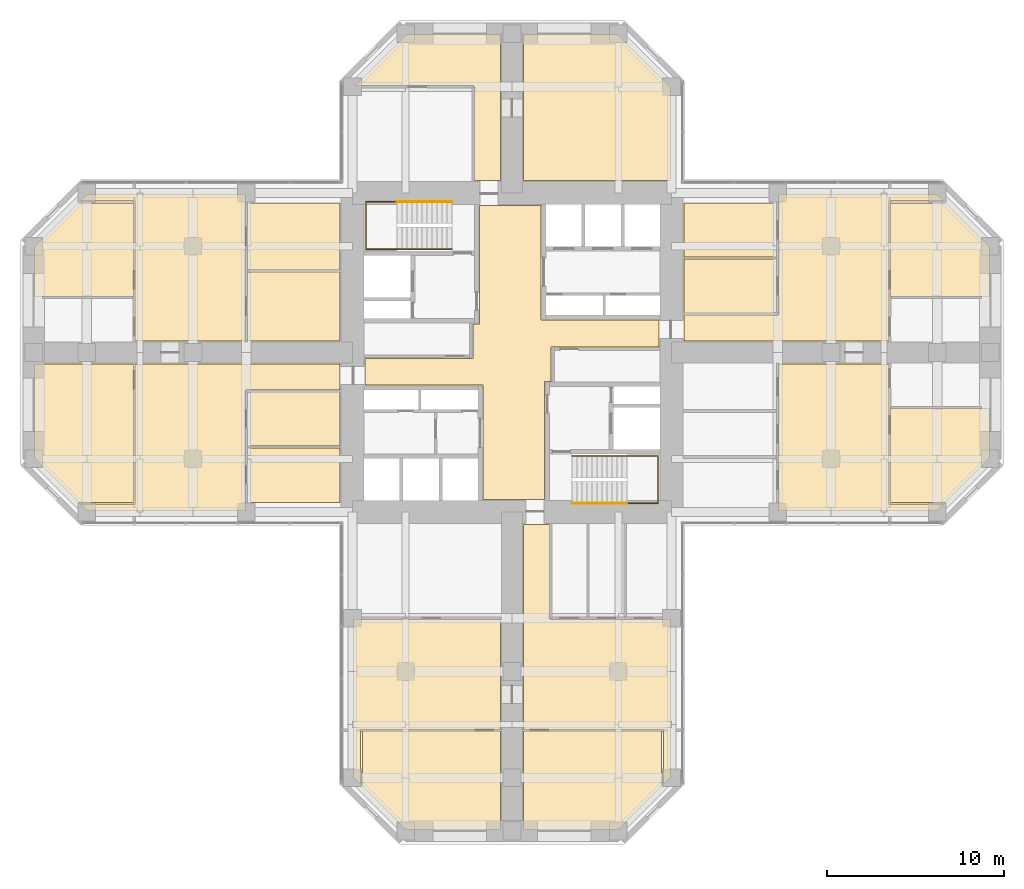
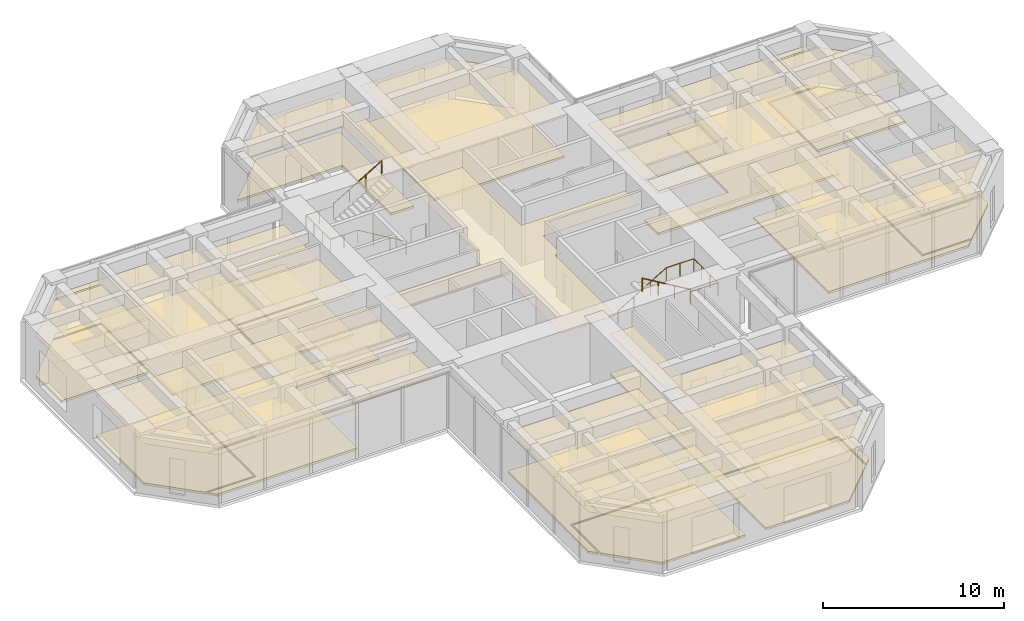
# One storey, part 13 of 13: 37 coverings, 4 railings.
"""IFC4 building model written with IfcOpenShell, lengths in metres."""

from ifc_helpers import new_model, si_unit, direction, frame, origin, origin_2d, place, context, subcontext, project, spatial, polyline, circle, outline, extrude, material, layer, layer_set, constituent, constituent_set, type_object, element, save


model = new_model("IFC4")

# Units and contexts
model_context = context("Model", 3, precision=1e-05, world=origin(), true_north=direction((0.0, 1.0)))
body_context = subcontext(model_context, "Body", "Model", "MODEL_VIEW")
ifc_project = project(units=[si_unit("LENGTHUNIT", "METRE"), si_unit("AREAUNIT", "SQUARE_METRE"), si_unit("VOLUMEUNIT", "CUBIC_METRE"), si_unit("PLANEANGLEUNIT", "RADIAN"), si_unit("MASSUNIT", "GRAM", prefix="KILO")], contexts=[model_context])

# Site, building, storey
site_placement = place(None, origin())
site = spatial("IfcSite", under=ifc_project, at=site_placement, CompositionType="ELEMENT")
building_placement = place(site_placement, origin())
building = spatial("IfcBuilding", under=site, at=building_placement, Name="Torre Cruceta", CompositionType="ELEMENT")
storey_placement = place(building_placement, frame((0.0, 0.0, 132.5)))
storey = spatial("IfcBuildingStorey", under=building, at=storey_placement, Name="L32", CompositionType="ELEMENT", Elevation=132.5)

# Railings
ifc_material_1 = material(Name="Stainless steel 1.4401", Category="steel")
railing_type = type_object("IfcRailingType", Name="HANDRAIL 900", PredefinedType="HANDRAIL", material=ifc_material_1)
railing_1_placement = place(storey_placement, frame((-3.39990234375, 5.8349609375, 0.166748046875)))
element("IfcRailing", 1, at=railing_1_placement, inside=storey, type_object=railing_type, Name="Handrail HR1 ST1 L32", PredefinedType="HANDRAIL", context=body_context, shape_type="SweptSolid", body=[
    extrude(circle(Radius=0.02392578125, at=origin_2d()), frame((0.0, 0.0, 0.8759765625), z_axis=(-0.859308565015, 0.0, 0.511457515432), x_axis=(0.0, -1.0, 0.0)), (0.0, 0.0, 1.0), 3.58447265625),
    extrude(circle(Radius=0.02392578125, at=origin_2d()), frame((-3.080078125, 0.0, 2.708984375), z_axis=(-1.0, 0.0, 0.0), x_axis=(0.0, -1.0, 0.0)), (0.0, 0.0, 1.0), 1.760009765625),
    extrude(circle(Radius=0.02392578125, at=origin_2d()), frame((-4.840087890625, 0.0, 2.708984375), z_axis=(0.0, 1.0, 0.0), x_axis=(-1.0, 0.0, 0.0)), (0.0, 0.0, 1.0), 2.679931640625),
    extrude(circle(Radius=0.02392578125, at=origin_2d()), frame((-4.840087890625, 2.679931640625, 2.708984375), z_axis=(1.0, 0.0, 0.0), x_axis=(0.0, 1.0, 0.0)), (0.0, 0.0, 1.0), 1.760009765625),
    extrude(circle(Radius=0.02099609375, at=origin_2d()), origin(), (0.0, 0.0, 1.0), 0.851806640625),
    extrude(circle(Radius=0.02099609375, at=origin_2d()), frame((-1.026611328125, 0.0, 0.611083984375)), (0.0, 0.0, 1.0), 0.851806640625),
    extrude(circle(Radius=0.02099609375, at=origin_2d()), frame((-2.053466796875, 0.0, 1.22216796875)), (0.0, 0.0, 1.0), 0.851806640625),
    extrude(circle(Radius=0.02099609375, at=origin_2d()), frame((-3.080078125, 0.0, 1.833251953125)), (0.0, 0.0, 1.0), 0.851806640625),
    extrude(circle(Radius=0.02099609375, at=origin_2d()), frame((-3.9599609375, 0.0, 1.833251953125)), (0.0, 0.0, 1.0), 0.851806640625),
    extrude(circle(Radius=0.02099609375, at=origin_2d()), frame((-4.840087890625, 0.0, 1.833251953125)), (0.0, 0.0, 1.0), 0.851806640625),
    extrude(circle(Radius=0.02099609375, at=origin_2d()), frame((-4.840087890625, 0.893310546875, 1.833251953125)), (0.0, 0.0, 1.0), 0.851806640625),
    extrude(circle(Radius=0.02099609375, at=origin_2d()), frame((-4.840087890625, 1.78662109375, 1.833251953125)), (0.0, 0.0, 1.0), 0.851806640625),
    extrude(circle(Radius=0.02099609375, at=origin_2d()), frame((-4.840087890625, 2.679931640625, 1.833251953125)), (0.0, 0.0, 1.0), 0.851806640625),
    extrude(circle(Radius=0.02099609375, at=origin_2d()), frame((-3.9599609375, 2.679931640625, 1.833251953125)), (0.0, 0.0, 1.0), 0.851806640625),
    extrude(circle(Radius=0.02099609375, at=origin_2d()), frame((-3.080078125, 2.679931640625, 1.833251953125)), (0.0, 0.0, 1.0), 0.851806640625),
])
railing_2_placement = place(storey_placement, frame((-6.47998046875, 8.514892578125, 2.166748046875)))
element("IfcRailing", 2, at=railing_2_placement, inside=storey, type_object=railing_type, Name="Handrail HR1 ST1 L32", PredefinedType="HANDRAIL", context=body_context, shape_type="SweptSolid", body=[
    extrude(circle(Radius=0.02392578125, at=origin_2d()), frame((0.0, 0.0, 0.8759765625), z_axis=(0.859308565015, 0.0, 0.511457515432), x_axis=(0.0, 1.0, 0.0)), (0.0, 0.0, 1.0), 3.58447265625),
    extrude(circle(Radius=0.02099609375, at=origin_2d()), origin(), (0.0, 0.0, 1.0), 0.851806640625),
    extrude(circle(Radius=0.02099609375, at=origin_2d()), frame((1.026611328125, 0.0, 0.611083984375)), (0.0, 0.0, 1.0), 0.851806640625),
    extrude(circle(Radius=0.02099609375, at=origin_2d()), frame((2.053466796875, 0.0, 1.22216796875)), (0.0, 0.0, 1.0), 0.851806640625),
    extrude(circle(Radius=0.02099609375, at=origin_2d()), frame((3.080078125, 0.0, 1.833251953125)), (0.0, 0.0, 1.0), 0.851806640625),
])
railing_3_placement = place(storey_placement, frame((3.39990234375, -5.8349609375, 0.166748046875)))
element("IfcRailing", 3, at=railing_3_placement, inside=storey, type_object=railing_type, Name="Handrail HR1 ST2 L32", PredefinedType="HANDRAIL", context=body_context, shape_type="SweptSolid", body=[
    extrude(circle(Radius=0.02392578125, at=origin_2d()), frame((0.0, 0.0, 0.8759765625), z_axis=(0.859308565015, 0.0, 0.511457515432), x_axis=(0.0, 1.0, 0.0)), (0.0, 0.0, 1.0), 3.58447265625),
    extrude(circle(Radius=0.02392578125, at=origin_2d()), frame((3.080078125, 0.0, 2.708984375), z_axis=(1.0, 0.0, 0.0), x_axis=(0.0, 1.0, 0.0)), (0.0, 0.0, 1.0), 1.760009765625),
    extrude(circle(Radius=0.02392578125, at=origin_2d()), frame((4.840087890625, 0.0, 2.708984375), z_axis=(0.0, -1.0, 0.0), x_axis=(1.0, 0.0, 0.0)), (0.0, 0.0, 1.0), 2.679931640625),
    extrude(circle(Radius=0.02392578125, at=origin_2d()), frame((4.840087890625, -2.679931640625, 2.708984375), z_axis=(-1.0, 0.0, 0.0), x_axis=(0.0, -1.0, 0.0)), (0.0, 0.0, 1.0), 1.760009765625),
    extrude(circle(Radius=0.02099609375, at=origin_2d()), origin(), (0.0, 0.0, 1.0), 0.851806640625),
    extrude(circle(Radius=0.02099609375, at=origin_2d()), frame((1.026611328125, 0.0, 0.611083984375)), (0.0, 0.0, 1.0), 0.851806640625),
    extrude(circle(Radius=0.02099609375, at=origin_2d()), frame((2.053466796875, 0.0, 1.22216796875)), (0.0, 0.0, 1.0), 0.851806640625),
    extrude(circle(Radius=0.02099609375, at=origin_2d()), frame((3.080078125, 0.0, 1.833251953125)), (0.0, 0.0, 1.0), 0.851806640625),
    extrude(circle(Radius=0.02099609375, at=origin_2d()), frame((3.9599609375, 0.0, 1.833251953125)), (0.0, 0.0, 1.0), 0.851806640625),
    extrude(circle(Radius=0.02099609375, at=origin_2d()), frame((4.840087890625, 0.0, 1.833251953125)), (0.0, 0.0, 1.0), 0.851806640625),
    extrude(circle(Radius=0.02099609375, at=origin_2d()), frame((4.840087890625, -0.893310546875, 1.833251953125)), (0.0, 0.0, 1.0), 0.851806640625),
    extrude(circle(Radius=0.02099609375, at=origin_2d()), frame((4.840087890625, -1.78662109375, 1.833251953125)), (0.0, 0.0, 1.0), 0.851806640625),
    extrude(circle(Radius=0.02099609375, at=origin_2d()), frame((4.840087890625, -2.679931640625, 1.833251953125)), (0.0, 0.0, 1.0), 0.851806640625),
    extrude(circle(Radius=0.02099609375, at=origin_2d()), frame((3.9599609375, -2.679931640625, 1.833251953125)), (0.0, 0.0, 1.0), 0.851806640625),
    extrude(circle(Radius=0.02099609375, at=origin_2d()), frame((3.080078125, -2.679931640625, 1.833251953125)), (0.0, 0.0, 1.0), 0.851806640625),
])
railing_4_placement = place(storey_placement, frame((6.47998046875, -8.514892578125, 2.166748046875)))
element("IfcRailing", 4, at=railing_4_placement, inside=storey, type_object=railing_type, Name="Handrail HR1 ST2 L32", PredefinedType="HANDRAIL", context=body_context, shape_type="SweptSolid", body=[
    extrude(circle(Radius=0.02392578125, at=origin_2d()), frame((0.0, 0.0, 0.8759765625), z_axis=(-0.859308565015, 0.0, 0.511457515432), x_axis=(0.0, -1.0, 0.0)), (0.0, 0.0, 1.0), 3.58447265625),
    extrude(circle(Radius=0.02099609375, at=origin_2d()), origin(), (0.0, 0.0, 1.0), 0.851806640625),
    extrude(circle(Radius=0.02099609375, at=origin_2d()), frame((-1.026611328125, 0.0, 0.611083984375)), (0.0, 0.0, 1.0), 0.851806640625),
    extrude(circle(Radius=0.02099609375, at=origin_2d()), frame((-2.053466796875, 0.0, 1.22216796875)), (0.0, 0.0, 1.0), 0.851806640625),
    extrude(circle(Radius=0.02099609375, at=origin_2d()), frame((-3.080078125, 0.0, 1.833251953125)), (0.0, 0.0, 1.0), 0.851806640625),
])

# Coverings
ifc_material_2 = material(Name="Steel DX51D", Category="steel")
ifc_constituent_1 = constituent(ifc_material_2, Name="Panel casing")
ifc_material_3 = material(Name="Calcium sulphate", Category="gypsum")
ifc_constituent_2 = constituent(ifc_material_3, Name="Panel core")
ifc_constituent_set = constituent_set(constituents=[ifc_constituent_1, ifc_constituent_2], Name="Raised access floor panel")
covering_type_1 = type_object("IfcCoveringType", Name="RAISED ACCESS FLOOR 150", PredefinedType="FLOORING", material=ifc_constituent_set)
covering_1_placement = place(storey_placement, origin())
element("IfcCovering", 5, at=covering_1_placement, inside=storey, type_object=covering_type_1, Name="Raised floor L32-026", PredefinedType="FLOORING", context=body_context, shape_type="SweptSolid", body=[
    extrude(outline(polyline([(-0.64990234375, 17.949951171875), (-0.64990234375, 9.699951171875), (-2.125, 9.699951171875), (-2.125, 15.050048828125), (-8.87939453125, 15.050048828125), (-5.979248046875, 17.949951171875), (-0.64990234375, 17.949951171875)])), origin(), (0.0, 0.0, 1.0), 0.14990234375),
])
covering_2_placement = place(storey_placement, origin())
element("IfcCovering", 6, at=covering_2_placement, inside=storey, type_object=covering_type_1, Name="Raised floor L32-027", PredefinedType="FLOORING", context=body_context, shape_type="SweptSolid", body=[
    extrude(outline(polyline([(5.979248046875, 17.949951171875), (8.949951171875, 14.979248046875), (8.949951171875, 9.699951171875), (0.64990234375, 9.699951171875), (0.64990234375, 17.949951171875), (5.979248046875, 17.949951171875)])), origin(), (0.0, 0.0, 1.0), 0.14990234375),
])
covering_3_placement = place(storey_placement, origin())
element("IfcCovering", 7, at=covering_3_placement, inside=storey, type_object=covering_type_1, Name="Raised floor L32-034", PredefinedType="FLOORING", context=body_context, shape_type="SweptSolid", body=[
    extrude(outline(polyline([(26.949951171875, 3.16796875), (21.3701171875, 3.16796875), (21.3701171875, 8.449951171875), (24.479248046875, 8.449951171875), (26.949951171875, 5.979248046875), (26.949951171875, 3.16796875)])), origin(), (0.0, 0.0, 1.0), 0.14990234375),
])
covering_4_placement = place(storey_placement, origin())
element("IfcCovering", 8, at=covering_4_placement, inside=storey, type_object=covering_type_1, Name="Raised floor L32-036", PredefinedType="FLOORING", context=body_context, shape_type="SweptSolid", body=[
    extrude(outline(polyline([(24.479248046875, -8.449951171875), (21.3701171875, -8.449951171875), (21.3701171875, -3.16796875), (26.949951171875, -3.16796875), (26.949951171875, -5.979248046875), (24.479248046875, -8.449951171875)])), origin(), (0.0, 0.0, 1.0), 0.14990234375),
])
covering_5_placement = place(storey_placement, origin())
element("IfcCovering", 9, at=covering_5_placement, inside=storey, type_object=covering_type_1, Name="Raised floor L32-037", PredefinedType="FLOORING", context=body_context, shape_type="SweptSolid", body=[
    extrude(outline(polyline([(9.699951171875, 2.125), (15.050048828125, 2.125), (15.050048828125, 8.949951171875), (23.979248046875, 8.949951171875), (24.37939453125, 8.550048828125), (21.27001953125, 8.550048828125), (21.27001953125, 0.64990234375), (9.699951171875, 0.64990234375), (9.699951171875, 2.125)])), origin(), (0.0, 0.0, 1.0), 0.14990234375),
])
covering_6_placement = place(storey_placement, origin())
element("IfcCovering", 10, at=covering_6_placement, inside=storey, type_object=covering_type_1, Name="Raised floor L32-038", PredefinedType="FLOORING", context=body_context, shape_type="SweptSolid", body=[
    extrude(outline(polyline([(15.050048828125, -8.949951171875), (15.050048828125, -0.64990234375), (21.27001953125, -0.64990234375), (21.27001953125, -8.550048828125), (24.37939453125, -8.550048828125), (23.979248046875, -8.949951171875), (15.050048828125, -8.949951171875)])), origin(), (0.0, 0.0, 1.0), 0.14990234375),
])
covering_7_placement = place(storey_placement, origin())
element("IfcCovering", 11, at=covering_7_placement, inside=storey, type_object=covering_type_1, Name="Raised floor L32-043", PredefinedType="FLOORING", context=body_context, shape_type="SweptSolid", body=[
    extrude(outline(polyline([(0.64990234375, -26.949951171875), (0.64990234375, -21.3701171875), (8.449951171875, -21.3701171875), (8.449951171875, -24.479248046875), (5.979248046875, -26.949951171875), (0.64990234375, -26.949951171875)])), origin(), (0.0, 0.0, 1.0), 0.14990234375),
])
covering_8_placement = place(storey_placement, origin())
element("IfcCovering", 12, at=covering_8_placement, inside=storey, type_object=covering_type_1, Name="Raised floor L32-044", PredefinedType="FLOORING", context=body_context, shape_type="SweptSolid", body=[
    extrude(outline(polyline([(-8.449951171875, -24.479248046875), (-8.449951171875, -21.3701171875), (-0.64990234375, -21.3701171875), (-0.64990234375, -26.949951171875), (-5.979248046875, -26.949951171875), (-8.449951171875, -24.479248046875)])), origin(), (0.0, 0.0, 1.0), 0.14990234375),
])
covering_9_placement = place(storey_placement, origin())
element("IfcCovering", 13, at=covering_9_placement, inside=storey, type_object=covering_type_1, Name="Raised floor L32-045", PredefinedType="FLOORING", context=body_context, shape_type="SweptSolid", body=[
    extrude(outline(polyline([(2.125, -9.699951171875), (2.125, -15.050048828125), (8.949951171875, -15.050048828125), (8.949951171875, -23.979248046875), (8.550048828125, -24.37939453125), (8.550048828125, -21.27001953125), (0.64990234375, -21.27001953125), (0.64990234375, -9.699951171875), (2.125, -9.699951171875)])), origin(), (0.0, 0.0, 1.0), 0.14990234375),
])
covering_10_placement = place(storey_placement, origin())
element("IfcCovering", 14, at=covering_10_placement, inside=storey, type_object=covering_type_1, Name="Raised floor L32-046", PredefinedType="FLOORING", context=body_context, shape_type="SweptSolid", body=[
    extrude(outline(polyline([(-8.949951171875, -15.050048828125), (-0.64990234375, -15.050048828125), (-0.64990234375, -21.27001953125), (-8.550048828125, -21.27001953125), (-8.550048828125, -24.37939453125), (-8.949951171875, -23.979248046875), (-8.949951171875, -15.050048828125)])), origin(), (0.0, 0.0, 1.0), 0.14990234375),
])
covering_11_placement = place(storey_placement, origin())
element("IfcCovering", 15, at=covering_11_placement, inside=storey, type_object=covering_type_1, Name="Raised floor L32-049", PredefinedType="FLOORING", context=body_context, shape_type="SweptSolid", body=[
    extrude(outline(polyline([(-9.699951171875, 4.550048828125), (-9.699951171875, 0.64990234375), (-14.949951171875, 0.64990234375), (-14.949951171875, 4.550048828125), (-9.699951171875, 4.550048828125)])), origin(), (0.0, 0.0, 1.0), 0.14990234375),
])
covering_12_placement = place(storey_placement, origin())
element("IfcCovering", 16, at=covering_12_placement, inside=storey, type_object=covering_type_1, Name="Raised floor L32-050", PredefinedType="FLOORING", context=body_context, shape_type="SweptSolid", body=[
    extrude(outline(polyline([(-9.699951171875, 8.449951171875), (-9.699951171875, 4.64990234375), (-14.949951171875, 4.64990234375), (-14.949951171875, 8.449951171875), (-9.699951171875, 8.449951171875)])), origin(), (0.0, 0.0, 1.0), 0.14990234375),
])
covering_13_placement = place(storey_placement, origin())
element("IfcCovering", 17, at=covering_13_placement, inside=storey, type_object=covering_type_1, Name="Raised floor L32-051", PredefinedType="FLOORING", context=body_context, shape_type="SweptSolid", body=[
    extrude(outline(polyline([(-26.949951171875, -0.64990234375), (-21.3701171875, -0.64990234375), (-21.3701171875, -8.449951171875), (-24.479248046875, -8.449951171875), (-26.949951171875, -5.979248046875), (-26.949951171875, -0.64990234375)])), origin(), (0.0, 0.0, 1.0), 0.14990234375),
])
covering_14_placement = place(storey_placement, origin())
element("IfcCovering", 18, at=covering_14_placement, inside=storey, type_object=covering_type_1, Name="Raised floor L32-053", PredefinedType="FLOORING", context=body_context, shape_type="SweptSolid", body=[
    extrude(outline(polyline([(-24.479248046875, 8.449951171875), (-21.3701171875, 8.449951171875), (-21.3701171875, 3.16796875), (-26.949951171875, 3.16796875), (-26.949951171875, 5.979248046875), (-24.479248046875, 8.449951171875)])), origin(), (0.0, 0.0, 1.0), 0.14990234375),
])
covering_15_placement = place(storey_placement, origin())
element("IfcCovering", 19, at=covering_15_placement, inside=storey, type_object=covering_type_1, Name="Raised floor L32-054", PredefinedType="FLOORING", context=body_context, shape_type="SweptSolid", body=[
    extrude(outline(polyline([(-9.699951171875, -2.125), (-15.050048828125, -2.125), (-15.050048828125, -8.949951171875), (-23.979248046875, -8.949951171875), (-24.37939453125, -8.550048828125), (-21.27001953125, -8.550048828125), (-21.27001953125, -0.64990234375), (-9.699951171875, -0.64990234375), (-9.699951171875, -2.125)])), origin(), (0.0, 0.0, 1.0), 0.14990234375),
])
covering_16_placement = place(storey_placement, origin())
element("IfcCovering", 20, at=covering_16_placement, inside=storey, type_object=covering_type_1, Name="Raised floor L32-055", PredefinedType="FLOORING", context=body_context, shape_type="SweptSolid", body=[
    extrude(outline(polyline([(-15.050048828125, 8.949951171875), (-15.050048828125, 0.64990234375), (-21.27001953125, 0.64990234375), (-21.27001953125, 8.550048828125), (-24.37939453125, 8.550048828125), (-23.979248046875, 8.949951171875), (-15.050048828125, 8.949951171875)])), origin(), (0.0, 0.0, 1.0), 0.14990234375),
])
ifc_material_4 = material(Name="Mineral fibre ceiling tile", Category="gypsum")
ifc_layer = layer(ifc_material_4, 0.02001953125)
ifc_layer_set = layer_set([ifc_layer], Name="Mineral fibre ceiling tile")
covering_type_2 = type_object("IfcCoveringType", Name="SUSPENDED CEILING 20", PredefinedType="CEILING", material=ifc_layer_set)
covering_17_placement = place(storey_placement, frame((0.0, 0.0, 2.780029296875)))
element("IfcCovering", 21, at=covering_17_placement, inside=storey, type_object=covering_type_2, Name="Ceiling L32-001", PredefinedType="CEILING", context=body_context, shape_type="SweptSolid", body=[
    extrude(outline(polyline([(1.824951171875, -8.300048828125), (-1.625, -8.300048828125), (-1.625, -1.824951171875), (-8.300048828125, -1.824951171875), (-8.300048828125, -0.324951171875), (-2.199951171875, -0.324951171875), (-2.199951171875, 1.625), (-1.824951171875, 1.625), (-1.824951171875, 8.300048828125), (1.625, 8.300048828125), (1.625, 1.824951171875), (8.300048828125, 1.824951171875), (8.300048828125, 0.324951171875), (2.199951171875, 0.324951171875), (2.199951171875, -1.625), (1.824951171875, -1.625), (1.824951171875, -8.300048828125)])), origin(), (0.0, 0.0, 1.0), 0.02001953125),
])
covering_18_placement = place(storey_placement, frame((0.0, 0.0, 2.780029296875)))
element("IfcCovering", 22, at=covering_18_placement, inside=storey, type_object=covering_type_2, Name="Ceiling L32-026", PredefinedType="CEILING", context=body_context, shape_type="SweptSolid", body=[
    extrude(outline(polyline([(-0.64990234375, 17.949951171875), (-0.64990234375, 9.699951171875), (-2.125, 9.699951171875), (-2.125, 15.050048828125), (-8.87939453125, 15.050048828125), (-5.979248046875, 17.949951171875), (-0.64990234375, 17.949951171875)])), origin(), (0.0, 0.0, 1.0), 0.02001953125),
])
covering_19_placement = place(storey_placement, frame((0.0, 0.0, 2.780029296875)))
element("IfcCovering", 23, at=covering_19_placement, inside=storey, type_object=covering_type_2, Name="Ceiling L32-027", PredefinedType="CEILING", context=body_context, shape_type="SweptSolid", body=[
    extrude(outline(polyline([(5.979248046875, 17.949951171875), (8.949951171875, 14.979248046875), (8.949951171875, 9.699951171875), (0.64990234375, 9.699951171875), (0.64990234375, 17.949951171875), (5.979248046875, 17.949951171875)])), origin(), (0.0, 0.0, 1.0), 0.02001953125),
])
covering_20_placement = place(storey_placement, frame((0.0, 0.0, 2.780029296875)))
element("IfcCovering", 24, at=covering_20_placement, inside=storey, type_object=covering_type_2, Name="Ceiling L32-028", PredefinedType="CEILING", context=body_context, shape_type="SweptSolid", body=[
    extrude(outline(polyline([(9.699951171875, 2.22509765625), (9.699951171875, 5.28759765625), (14.949951171875, 5.28759765625), (14.949951171875, 2.22509765625), (9.699951171875, 2.22509765625)])), origin(), (0.0, 0.0, 1.0), 0.02001953125),
])
covering_21_placement = place(storey_placement, frame((0.0, 0.0, 2.780029296875)))
element("IfcCovering", 25, at=covering_21_placement, inside=storey, type_object=covering_type_2, Name="Ceiling L32-029", PredefinedType="CEILING", context=body_context, shape_type="SweptSolid", body=[
    extrude(outline(polyline([(9.699951171875, 5.387451171875), (9.699951171875, 8.449951171875), (14.949951171875, 8.449951171875), (14.949951171875, 5.387451171875), (9.699951171875, 5.387451171875)])), origin(), (0.0, 0.0, 1.0), 0.02001953125),
])
covering_22_placement = place(storey_placement, frame((0.0, 0.0, 2.780029296875)))
element("IfcCovering", 26, at=covering_22_placement, inside=storey, type_object=covering_type_2, Name="Ceiling L32-034", PredefinedType="CEILING", context=body_context, shape_type="SweptSolid", body=[
    extrude(outline(polyline([(26.949951171875, 3.16796875), (21.3701171875, 3.16796875), (21.3701171875, 8.449951171875), (24.479248046875, 8.449951171875), (26.949951171875, 5.979248046875), (26.949951171875, 3.16796875)])), origin(), (0.0, 0.0, 1.0), 0.02001953125),
])
covering_23_placement = place(storey_placement, frame((0.0, 0.0, 2.780029296875)))
element("IfcCovering", 27, at=covering_23_placement, inside=storey, type_object=covering_type_2, Name="Ceiling L32-036", PredefinedType="CEILING", context=body_context, shape_type="SweptSolid", body=[
    extrude(outline(polyline([(24.479248046875, -8.449951171875), (21.3701171875, -8.449951171875), (21.3701171875, -3.16796875), (26.949951171875, -3.16796875), (26.949951171875, -5.979248046875), (24.479248046875, -8.449951171875)])), origin(), (0.0, 0.0, 1.0), 0.02001953125),
])
covering_24_placement = place(storey_placement, frame((0.0, 0.0, 2.780029296875)))
element("IfcCovering", 28, at=covering_24_placement, inside=storey, type_object=covering_type_2, Name="Ceiling L32-037", PredefinedType="CEILING", context=body_context, shape_type="SweptSolid", body=[
    extrude(outline(polyline([(9.699951171875, 2.125), (15.050048828125, 2.125), (15.050048828125, 8.949951171875), (23.979248046875, 8.949951171875), (24.37939453125, 8.550048828125), (21.27001953125, 8.550048828125), (21.27001953125, 0.64990234375), (9.699951171875, 0.64990234375), (9.699951171875, 2.125)])), origin(), (0.0, 0.0, 1.0), 0.02001953125),
])
covering_25_placement = place(storey_placement, frame((0.0, 0.0, 2.780029296875)))
element("IfcCovering", 29, at=covering_25_placement, inside=storey, type_object=covering_type_2, Name="Ceiling L32-038", PredefinedType="CEILING", context=body_context, shape_type="SweptSolid", body=[
    extrude(outline(polyline([(15.050048828125, -8.949951171875), (15.050048828125, -0.64990234375), (21.27001953125, -0.64990234375), (21.27001953125, -8.550048828125), (24.37939453125, -8.550048828125), (23.979248046875, -8.949951171875), (15.050048828125, -8.949951171875)])), origin(), (0.0, 0.0, 1.0), 0.02001953125),
])
covering_26_placement = place(storey_placement, frame((0.0, 0.0, 2.780029296875)))
element("IfcCovering", 30, at=covering_26_placement, inside=storey, type_object=covering_type_2, Name="Ceiling L32-043", PredefinedType="CEILING", context=body_context, shape_type="SweptSolid", body=[
    extrude(outline(polyline([(0.64990234375, -26.949951171875), (0.64990234375, -21.3701171875), (8.449951171875, -21.3701171875), (8.449951171875, -24.479248046875), (5.979248046875, -26.949951171875), (0.64990234375, -26.949951171875)])), origin(), (0.0, 0.0, 1.0), 0.02001953125),
])
covering_27_placement = place(storey_placement, frame((0.0, 0.0, 2.780029296875)))
element("IfcCovering", 31, at=covering_27_placement, inside=storey, type_object=covering_type_2, Name="Ceiling L32-044", PredefinedType="CEILING", context=body_context, shape_type="SweptSolid", body=[
    extrude(outline(polyline([(-8.449951171875, -24.479248046875), (-8.449951171875, -21.3701171875), (-0.64990234375, -21.3701171875), (-0.64990234375, -26.949951171875), (-5.979248046875, -26.949951171875), (-8.449951171875, -24.479248046875)])), origin(), (0.0, 0.0, 1.0), 0.02001953125),
])
covering_28_placement = place(storey_placement, frame((0.0, 0.0, 2.780029296875)))
element("IfcCovering", 32, at=covering_28_placement, inside=storey, type_object=covering_type_2, Name="Ceiling L32-045", PredefinedType="CEILING", context=body_context, shape_type="SweptSolid", body=[
    extrude(outline(polyline([(2.125, -9.699951171875), (2.125, -15.050048828125), (8.949951171875, -15.050048828125), (8.949951171875, -23.979248046875), (8.550048828125, -24.37939453125), (8.550048828125, -21.27001953125), (0.64990234375, -21.27001953125), (0.64990234375, -9.699951171875), (2.125, -9.699951171875)])), origin(), (0.0, 0.0, 1.0), 0.02001953125),
])
covering_29_placement = place(storey_placement, frame((0.0, 0.0, 2.780029296875)))
element("IfcCovering", 33, at=covering_29_placement, inside=storey, type_object=covering_type_2, Name="Ceiling L32-046", PredefinedType="CEILING", context=body_context, shape_type="SweptSolid", body=[
    extrude(outline(polyline([(-8.949951171875, -15.050048828125), (-0.64990234375, -15.050048828125), (-0.64990234375, -21.27001953125), (-8.550048828125, -21.27001953125), (-8.550048828125, -24.37939453125), (-8.949951171875, -23.979248046875), (-8.949951171875, -15.050048828125)])), origin(), (0.0, 0.0, 1.0), 0.02001953125),
])
covering_30_placement = place(storey_placement, frame((0.0, 0.0, 2.780029296875)))
element("IfcCovering", 34, at=covering_30_placement, inside=storey, type_object=covering_type_2, Name="Ceiling L32-047", PredefinedType="CEILING", context=body_context, shape_type="SweptSolid", body=[
    extrude(outline(polyline([(-9.699951171875, -2.22509765625), (-9.699951171875, -5.28759765625), (-14.949951171875, -5.28759765625), (-14.949951171875, -2.22509765625), (-9.699951171875, -2.22509765625)])), origin(), (0.0, 0.0, 1.0), 0.02001953125),
])
covering_31_placement = place(storey_placement, frame((0.0, 0.0, 2.780029296875)))
element("IfcCovering", 35, at=covering_31_placement, inside=storey, type_object=covering_type_2, Name="Ceiling L32-048", PredefinedType="CEILING", context=body_context, shape_type="SweptSolid", body=[
    extrude(outline(polyline([(-9.699951171875, -5.387451171875), (-9.699951171875, -8.449951171875), (-14.949951171875, -8.449951171875), (-14.949951171875, -5.387451171875), (-9.699951171875, -5.387451171875)])), origin(), (0.0, 0.0, 1.0), 0.02001953125),
])
covering_32_placement = place(storey_placement, frame((0.0, 0.0, 2.780029296875)))
element("IfcCovering", 36, at=covering_32_placement, inside=storey, type_object=covering_type_2, Name="Ceiling L32-049", PredefinedType="CEILING", context=body_context, shape_type="SweptSolid", body=[
    extrude(outline(polyline([(-9.699951171875, 4.550048828125), (-9.699951171875, 0.64990234375), (-14.949951171875, 0.64990234375), (-14.949951171875, 4.550048828125), (-9.699951171875, 4.550048828125)])), origin(), (0.0, 0.0, 1.0), 0.02001953125),
])
covering_33_placement = place(storey_placement, frame((0.0, 0.0, 2.780029296875)))
element("IfcCovering", 37, at=covering_33_placement, inside=storey, type_object=covering_type_2, Name="Ceiling L32-050", PredefinedType="CEILING", context=body_context, shape_type="SweptSolid", body=[
    extrude(outline(polyline([(-9.699951171875, 8.449951171875), (-9.699951171875, 4.64990234375), (-14.949951171875, 4.64990234375), (-14.949951171875, 8.449951171875), (-9.699951171875, 8.449951171875)])), origin(), (0.0, 0.0, 1.0), 0.02001953125),
])
covering_34_placement = place(storey_placement, frame((0.0, 0.0, 2.780029296875)))
element("IfcCovering", 38, at=covering_34_placement, inside=storey, type_object=covering_type_2, Name="Ceiling L32-051", PredefinedType="CEILING", context=body_context, shape_type="SweptSolid", body=[
    extrude(outline(polyline([(-26.949951171875, -0.64990234375), (-21.3701171875, -0.64990234375), (-21.3701171875, -8.449951171875), (-24.479248046875, -8.449951171875), (-26.949951171875, -5.979248046875), (-26.949951171875, -0.64990234375)])), origin(), (0.0, 0.0, 1.0), 0.02001953125),
])
covering_35_placement = place(storey_placement, frame((0.0, 0.0, 2.780029296875)))
element("IfcCovering", 39, at=covering_35_placement, inside=storey, type_object=covering_type_2, Name="Ceiling L32-053", PredefinedType="CEILING", context=body_context, shape_type="SweptSolid", body=[
    extrude(outline(polyline([(-24.479248046875, 8.449951171875), (-21.3701171875, 8.449951171875), (-21.3701171875, 3.16796875), (-26.949951171875, 3.16796875), (-26.949951171875, 5.979248046875), (-24.479248046875, 8.449951171875)])), origin(), (0.0, 0.0, 1.0), 0.02001953125),
])
covering_36_placement = place(storey_placement, frame((0.0, 0.0, 2.780029296875)))
element("IfcCovering", 40, at=covering_36_placement, inside=storey, type_object=covering_type_2, Name="Ceiling L32-054", PredefinedType="CEILING", context=body_context, shape_type="SweptSolid", body=[
    extrude(outline(polyline([(-9.699951171875, -2.125), (-15.050048828125, -2.125), (-15.050048828125, -8.949951171875), (-23.979248046875, -8.949951171875), (-24.37939453125, -8.550048828125), (-21.27001953125, -8.550048828125), (-21.27001953125, -0.64990234375), (-9.699951171875, -0.64990234375), (-9.699951171875, -2.125)])), origin(), (0.0, 0.0, 1.0), 0.02001953125),
])
covering_37_placement = place(storey_placement, frame((0.0, 0.0, 2.780029296875)))
element("IfcCovering", 41, at=covering_37_placement, inside=storey, type_object=covering_type_2, Name="Ceiling L32-055", PredefinedType="CEILING", context=body_context, shape_type="SweptSolid", body=[
    extrude(outline(polyline([(-15.050048828125, 8.949951171875), (-15.050048828125, 0.64990234375), (-21.27001953125, 0.64990234375), (-21.27001953125, 8.550048828125), (-24.37939453125, 8.550048828125), (-23.979248046875, 8.949951171875), (-15.050048828125, 8.949951171875)])), origin(), (0.0, 0.0, 1.0), 0.02001953125),
])

save(model, "model.ifc")
